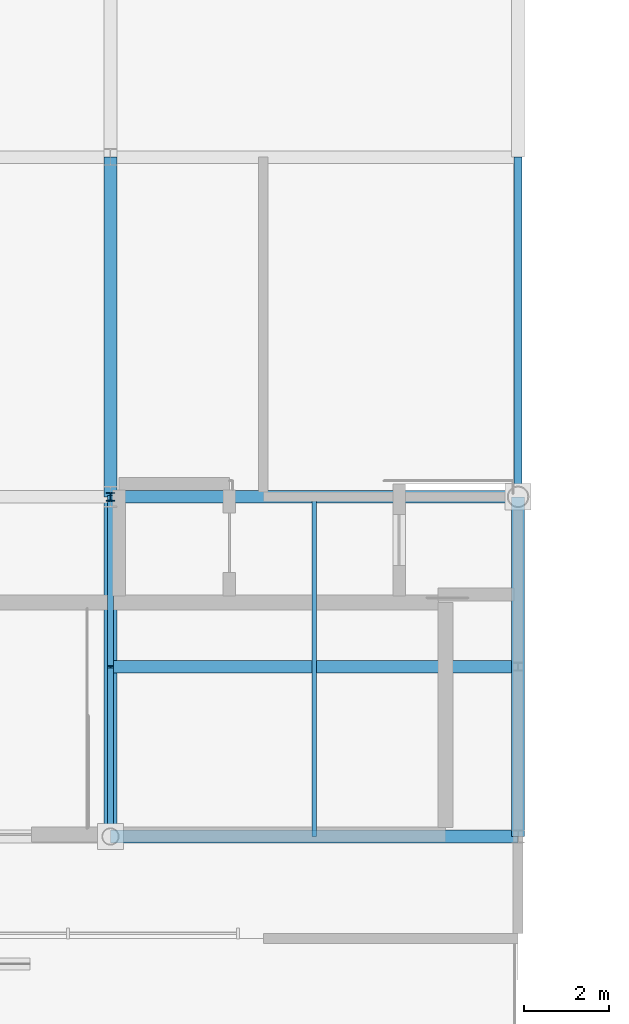
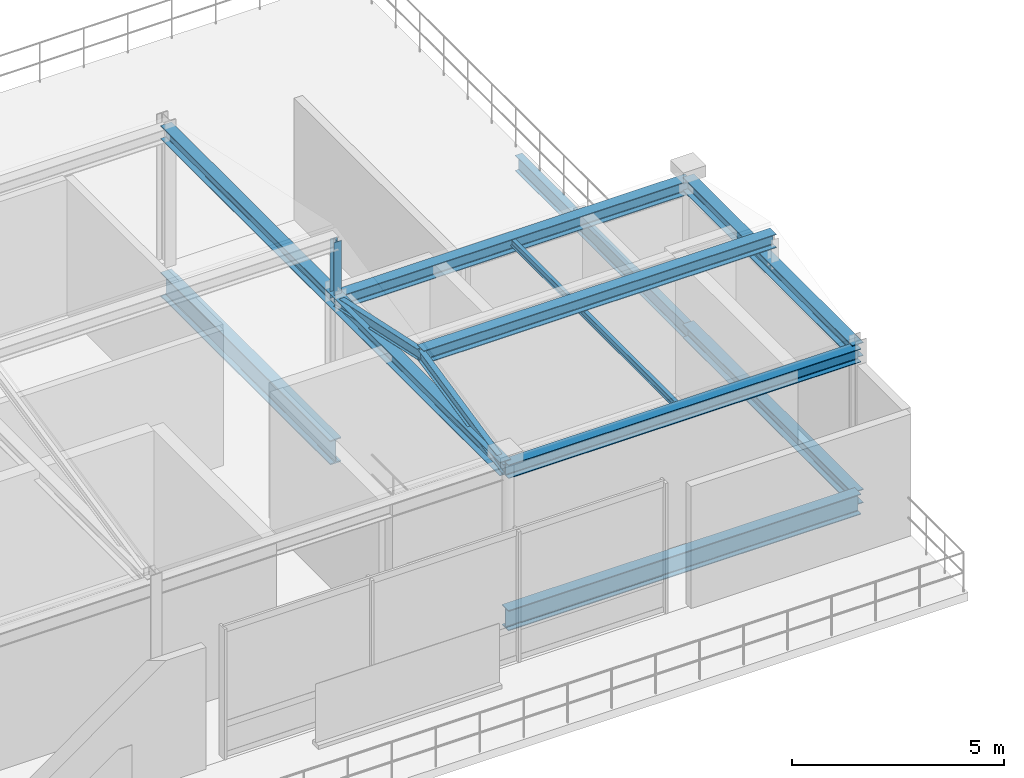
# One storey, part 11 of 26: 9 beams, 4 members.
"""IFC4 building model written with IfcOpenShell, lengths in metres."""

from ifc_helpers import new_model, si_unit, direction, frame, origin, origin_2d, place, context, subcontext, project, spatial, i_section, extrude, material, material_profile, profile_set, type_object, element, save


model = new_model("IFC4")

# Units and contexts
model_context = context("Model", 3, precision=1e-05, world=origin(), true_north=direction((0.0, 1.0)))
body_context = subcontext(model_context, "Body", "Model", "MODEL_VIEW")
ifc_project = project(units=[si_unit("LENGTHUNIT", "METRE"), si_unit("AREAUNIT", "SQUARE_METRE"), si_unit("VOLUMEUNIT", "CUBIC_METRE"), si_unit("PLANEANGLEUNIT", "RADIAN"), si_unit("MASSUNIT", "GRAM", prefix="KILO")], contexts=[model_context])

# Site, building, storey
site_placement = place(None, origin())
site = spatial("IfcSite", under=ifc_project, at=site_placement, CompositionType="ELEMENT")
building_placement = place(site_placement, origin())
building = spatial("IfcBuilding", under=site, at=building_placement, Name="Danafjord Basin Convention Centre", CompositionType="ELEMENT")
storey_placement = place(building_placement, frame((0.0, 0.0, 29.39990234375)))
storey = spatial("IfcBuildingStorey", under=building, at=storey_placement, Name="RF", CompositionType="ELEMENT", Elevation=29.39990234375)

# Beams
ifc_material = material(Name="Steel S355", Category="steel")
ifc_material_profile_1 = material_profile(ifc_material, i_section(OverallWidth=0.300048828125, OverallDepth=0.389892578125, WebThickness=0.010986328125, FlangeThickness=0.01904296875, FilletRadius=0.027099609375, at=origin_2d()), Name="HEA 400")
ifc_profile_set_1 = profile_set([ifc_material_profile_1], Name="Steel S355")
beam_type_1 = type_object("IfcBeamType", Name="BEAM-BM-HEA400", PredefinedType="BEAM", material=ifc_profile_set_1)
beam_1_placement = place(storey_placement, frame((86.39990234375, 16.0, 3.800048828125), z_axis=(0.0, 1.0, 0.0), x_axis=(-1.0, 0.0, 0.0)))
element("IfcBeam", 1, at=beam_1_placement, inside=storey, type_object=beam_type_1, Name="Observatory transverse tie beam", PredefinedType="BEAM", context=body_context, shape_type="SweptSolid", body=[
    extrude(i_section(OverallWidth=0.300048828125, OverallDepth=0.389892578125, WebThickness=0.010986328125, FlangeThickness=0.01904296875, FilletRadius=0.027099609375, at=origin_2d()), origin(), (0.0, 0.0, 1.0), 16.0),
])
beam_2_placement = place(storey_placement, frame((96.0, 16.0, 3.800048828125), z_axis=(0.0, 1.0, 0.0), x_axis=(-1.0, 0.0, 0.0)))
element("IfcBeam", 2, at=beam_2_placement, inside=storey, type_object=beam_type_1, Name="Observatory transverse tie beam", PredefinedType="BEAM", context=body_context, shape_type="SweptSolid", body=[
    extrude(i_section(OverallWidth=0.300048828125, OverallDepth=0.389892578125, WebThickness=0.010986328125, FlangeThickness=0.01904296875, FilletRadius=0.027099609375, at=origin_2d()), origin(), (0.0, 0.0, 1.0), 8.0),
])
for number, where, z_axis, x_axis, name in (
    (3, (86.39990234375, 16.0, 3.760009765625), (1.0, 0.0, 0.0), (0.0, 1.0, 0.0), "Observatory south eave girder"),
    (4, (86.39990234375, 24.0, 3.760009765625), (1.0, 0.0, 0.0), (0.0, 1.0, 0.0), "Observatory north eave girder"),
    (5, (86.39990234375, 20.0, 4.625), (1.0, 0.0, 0.0), (0.0, 1.0, 0.0), "Observatory ridge beam"),
):
    element("IfcBeam", number, at=place(storey_placement, frame(where, z_axis=z_axis, x_axis=x_axis)), inside=storey, type_object=beam_type_1, Name=name, PredefinedType="BEAM", context=body_context, shape_type="SweptSolid", body=[
        extrude(i_section(OverallWidth=0.300048828125, OverallDepth=0.389892578125, WebThickness=0.010986328125, FlangeThickness=0.01904296875, FilletRadius=0.027099609375, at=origin_2d()), origin(), (0.0, 0.0, 1.0), 9.60009765625),
    ])
ifc_material_profile_2 = material_profile(ifc_material, i_section(OverallWidth=0.300048828125, OverallDepth=0.590087890625, WebThickness=0.012939453125, FlangeThickness=0.02490234375, FilletRadius=0.027099609375, at=origin_2d()), Name="HEA 600")
ifc_profile_set_2 = profile_set([ifc_material_profile_2], Name="Steel S355")
beam_type_2 = type_object("IfcBeamType", Name="BEAM-BM-HEA600", PredefinedType="BEAM", material=ifc_profile_set_2)
beam_3_placement = place(storey_placement, frame((86.39990234375, 16.0, -0.52490234375), z_axis=(1.0, 0.0, 0.0), x_axis=(0.0, 1.0, 0.0)))
element("IfcBeam", 6, at=beam_3_placement, inside=storey, type_object=beam_type_2, Name="RF girder BM-HEA600", PredefinedType="BEAM", context=body_context, shape_type="SweptSolid", body=[
    extrude(i_section(OverallWidth=0.300048828125, OverallDepth=0.590087890625, WebThickness=0.012939453125, FlangeThickness=0.02490234375, FilletRadius=0.027099609375, at=origin_2d()), origin(), (0.0, 0.0, 1.0), 9.60009765625),
])
ifc_material_profile_3 = material_profile(ifc_material, i_section(OverallWidth=0.300048828125, OverallDepth=0.699951171875, WebThickness=0.01708984375, FlangeThickness=0.031982421875, FilletRadius=0.027099609375, at=origin_2d()), Name="HEB 700")
ifc_profile_set_3 = profile_set([ifc_material_profile_3], Name="Steel S355")
beam_type_3 = type_object("IfcBeamType", Name="BEAM-BM-HEB700", PredefinedType="BEAM", material=ifc_profile_set_3)
beam_4_placement = place(storey_placement, frame((86.39990234375, 24.0, -0.579833984375), z_axis=(0.0, 1.0, 0.0), x_axis=(-1.0, 0.0, 0.0)))
element("IfcBeam", 7, at=beam_4_placement, inside=storey, type_object=beam_type_3, Name="RF transverse girder BM-HEB700", PredefinedType="BEAM", context=body_context, shape_type="SweptSolid", body=[
    extrude(i_section(OverallWidth=0.300048828125, OverallDepth=0.699951171875, WebThickness=0.01708984375, FlangeThickness=0.031982421875, FilletRadius=0.027099609375, at=origin_2d()), origin(), (0.0, 0.0, 1.0), 8.0),
])
ifc_material_profile_4 = material_profile(ifc_material, i_section(OverallWidth=0.300048828125, OverallDepth=0.39990234375, WebThickness=0.013427734375, FlangeThickness=0.02392578125, FilletRadius=0.027099609375, at=origin_2d()), Name="HEB 400")
ifc_profile_set_4 = profile_set([ifc_material_profile_4], Name="Steel S355")
beam_type_4 = type_object("IfcBeamType", Name="BEAM-SP-HEB400", PredefinedType="SPANDREL", material=ifc_profile_set_4)
beam_5_placement = place(storey_placement, frame((96.0, 16.0, -0.429931640625), z_axis=(0.0, 1.0, 0.0), x_axis=(-1.0, 0.0, 0.0)))
element("IfcBeam", 8, at=beam_5_placement, inside=storey, type_object=beam_type_4, Name="RF transverse girder SP-HEB400", PredefinedType="SPANDREL", context=body_context, shape_type="SweptSolid", body=[
    extrude(i_section(OverallWidth=0.300048828125, OverallDepth=0.39990234375, WebThickness=0.013427734375, FlangeThickness=0.02392578125, FilletRadius=0.027099609375, at=origin_2d()), origin(), (0.0, 0.0, 1.0), 8.0),
])
ifc_material_profile_5 = material_profile(ifc_material, i_section(OverallWidth=0.18994140625, OverallDepth=0.449951171875, WebThickness=0.009521484375, FlangeThickness=0.0146484375, FilletRadius=0.02099609375, at=origin_2d()), Name="IPE 450")
ifc_profile_set_5 = profile_set([ifc_material_profile_5], Name="Steel S355")
beam_type_5 = type_object("IfcBeamType", Name="BEAM-SP-IPE450", PredefinedType="SPANDREL", material=ifc_profile_set_5)
beam_6_placement = place(storey_placement, frame((96.0, 24.0, -0.46484375), z_axis=(0.0, 1.0, 0.0), x_axis=(-1.0, 0.0, 0.0)))
element("IfcBeam", 9, at=beam_6_placement, inside=storey, type_object=beam_type_5, Name="RF transverse girder SP-IPE450", PredefinedType="SPANDREL", context=body_context, shape_type="SweptSolid", body=[
    extrude(i_section(OverallWidth=0.18994140625, OverallDepth=0.449951171875, WebThickness=0.009521484375, FlangeThickness=0.0146484375, FilletRadius=0.02099609375, at=origin_2d()), origin(), (0.0, 0.0, 1.0), 8.0),
])

# Members
ifc_material_profile_6 = material_profile(ifc_material, i_section(OverallWidth=0.10009765625, OverallDepth=0.199951171875, WebThickness=0.005615234375, FlangeThickness=0.008544921875, FilletRadius=0.011962890625, at=origin_2d()), Name="IPE 200")
ifc_profile_set_6 = profile_set([ifc_material_profile_6], Name="Steel S355")
member_type_1 = type_object("IfcMemberType", Name="MEM-CL-IPE200", PredefinedType="COLLAR", material=ifc_profile_set_6)
member_1_placement = place(storey_placement, frame((91.199951171875, 16.0, 3.780029296875), z_axis=(0.0, 1.0, 0.0), x_axis=(-1.0, 0.0, 0.0)))
element("IfcMember", 10, at=member_1_placement, inside=storey, type_object=member_type_1, Name="Observatory roof collar tie", PredefinedType="COLLAR", context=body_context, shape_type="SweptSolid", body=[
    extrude(i_section(OverallWidth=0.10009765625, OverallDepth=0.199951171875, WebThickness=0.005615234375, FlangeThickness=0.008544921875, FilletRadius=0.011962890625, at=origin_2d()), origin(), (0.0, 0.0, 1.0), 8.0),
])
ifc_material_profile_7 = material_profile(ifc_material, i_section(OverallWidth=0.14990234375, OverallDepth=0.300048828125, WebThickness=0.007080078125, FlangeThickness=0.0107421875, FilletRadius=0.014892578125, at=origin_2d()), Name="IPE 300")
ifc_profile_set_7 = profile_set([ifc_material_profile_7], Name="Steel S355")
member_type_2 = type_object("IfcMemberType", Name="MEM-RF-IPE300", PredefinedType="RAFTER", material=ifc_profile_set_7)
for number, where, z_axis, x_axis, name in (
    (11, (86.39990234375, 16.0, 3.780029296875), (0.0, 0.977407837194, 0.211362058544), (-1.0, 0.0, 0.0), "Observatory pitched roof rafter"),
    (12, (86.39990234375, 24.0, 3.780029296875), (0.0, -0.977407837194, 0.211362058544), (1.0, 0.0, 0.0), "Observatory pitched roof rafter"),
):
    element("IfcMember", number, at=place(storey_placement, frame(where, z_axis=z_axis, x_axis=x_axis)), inside=storey, type_object=member_type_2, Name=name, PredefinedType="RAFTER", context=body_context, shape_type="SweptSolid", body=[
        extrude(i_section(OverallWidth=0.14990234375, OverallDepth=0.300048828125, WebThickness=0.007080078125, FlangeThickness=0.0107421875, FilletRadius=0.014892578125, at=origin_2d()), origin(), (0.0, 0.0, 1.0), 4.092529296875),
    ])
ifc_material_profile_8 = material_profile(ifc_material, i_section(OverallWidth=0.199951171875, OverallDepth=0.199951171875, WebThickness=0.009033203125, FlangeThickness=0.014892578125, FilletRadius=0.01806640625, at=origin_2d()), Name="HEB 200")
ifc_profile_set_8 = profile_set([ifc_material_profile_8], Name="Steel S355")
member_type_3 = type_object("IfcMemberType", Name="MEM-ST-HEB200", PredefinedType="STRUT", material=ifc_profile_set_8)
member_2_placement = place(storey_placement, frame((86.39990234375, 24.0, 3.800048828125), z_axis=(0.0, 0.0, 1.0), x_axis=(1.0, 0.0, 0.0)))
element("IfcMember", 13, at=member_2_placement, inside=storey, type_object=member_type_3, Name="Observatory ridge king-post", PredefinedType="STRUT", context=body_context, shape_type="SweptSolid", body=[
    extrude(i_section(OverallWidth=0.199951171875, OverallDepth=0.199951171875, WebThickness=0.009033203125, FlangeThickness=0.014892578125, FilletRadius=0.01806640625, at=origin_2d()), origin(), (0.0, 0.0, 1.0), 1.709716796875),
])

save(model, "model.ifc")
